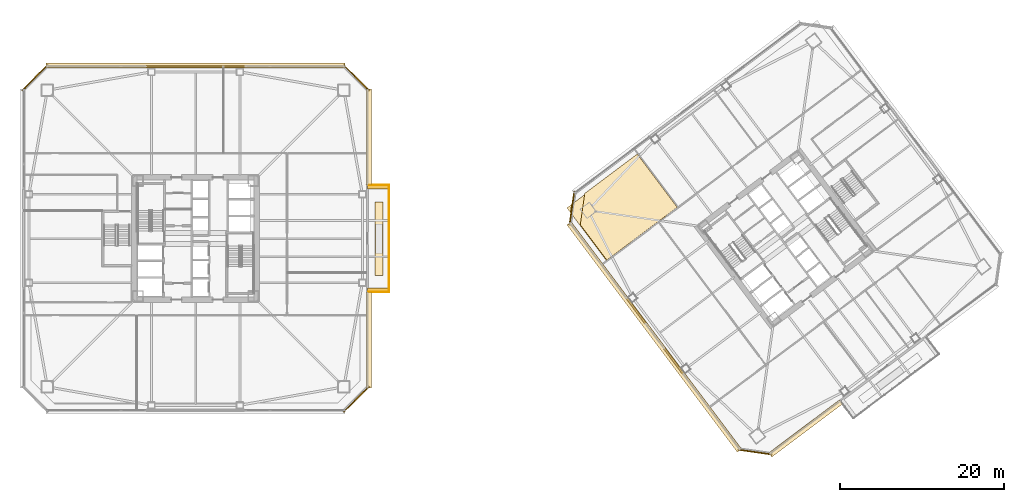
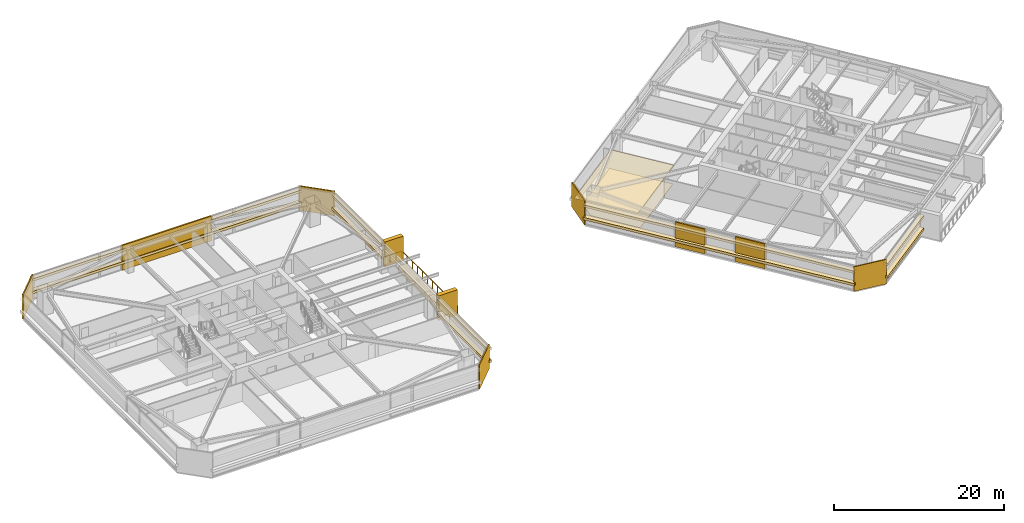
# One storey, part 42 of 46: 23 coverings, 3 railings.
"""IFC4 building model written with IfcOpenShell, lengths in metres."""

from ifc_helpers import new_model, si_unit, direction, frame, origin, origin_2d, place, context, subcontext, project, spatial, polyline, rectangle, outline, extrude, material, layer, layer_set, type_object, element, save


model = new_model("IFC4")

# Units and contexts
model_context = context("Model", 3, precision=1e-05, world=origin(), true_north=direction((0.0, 1.0)))
body_context = subcontext(model_context, "Body", "Model", "MODEL_VIEW")
ifc_project = project(units=[si_unit("LENGTHUNIT", "METRE"), si_unit("AREAUNIT", "SQUARE_METRE"), si_unit("VOLUMEUNIT", "CUBIC_METRE"), si_unit("PLANEANGLEUNIT", "RADIAN"), si_unit("MASSUNIT", "GRAM", prefix="KILO")], contexts=[model_context])

# Site, building, storey
site_placement = place(None, origin())
site = spatial("IfcSite", under=ifc_project, at=site_placement, CompositionType="ELEMENT")
building_placement = place(site_placement, origin())
building = spatial("IfcBuilding", under=site, at=building_placement, Name="Tashvorn Skyway Center", CompositionType="ELEMENT")
storey_placement = place(building_placement, frame((0.0, 0.0, 99.14990234375)))
storey = spatial("IfcBuildingStorey", under=building, at=storey_placement, Name="L26", CompositionType="ELEMENT", Elevation=99.14990234375)

# Coverings
ifc_material_1 = material(Name="Precast concrete C40/50", Category="concrete")
ifc_layer_1 = layer(ifc_material_1, 0.199951171875)
ifc_layer_set_1 = layer_set([ifc_layer_1], Name="Precast concrete C40/50")
covering_type_1 = type_object("IfcCoveringType", Name="COV-BRACE-CLAD", PredefinedType="CLADDING", material=ifc_layer_set_1)
covering_1_placement = place(storey_placement, frame((42.0, 52.97998046875, 0.0), z_axis=(0.0, 0.0, 1.0), x_axis=(1.0, 0.0, 0.0)))
element("IfcCovering", 1, at=covering_1_placement, inside=storey, type_object=covering_type_1, Name="Tower 1 L26 North Unitised Curtain Wall Mega-Brace Cladding Band 1", PredefinedType="CLADDING", context=body_context, shape_type="SweptSolid", body=[
    extrude(rectangle(XDim=12.1201171875, YDim=0.199951171875, at=origin_2d()), origin(), (0.0, 0.0, 1.0), 3.550048828125),
])
for number, where, z_axis, x_axis, name in (
    (2, (100.39990234375, 17.0, 0.0), (0.0, 0.0, 1.0), (-0.600000004945, 0.799999996291, 0.0), "Tower 2 L26 West Unitised Curtain Wall Mega-Brace Cladding Band 1"),
    (3, (95.7919921875, 23.14404296875, 0.0), (0.0, 0.0, 1.0), (-0.600000004945, 0.799999996291, 0.0), "Tower 2 L26 West Unitised Curtain Wall Mega-Brace Cladding Band 2"),
):
    element("IfcCovering", number, at=place(storey_placement, frame(where, z_axis=z_axis, x_axis=x_axis)), inside=storey, type_object=covering_type_1, Name=name, PredefinedType="CLADDING", context=body_context, shape_type="SweptSolid", body=[
        extrude(rectangle(XDim=3.840087890625, YDim=0.199951171875, at=origin_2d()), origin(), (0.0, 0.0, 1.0), 3.550048828125),
    ])
ifc_material_2 = material(Name="Mineral-fibre acoustic ceiling tile on suspended grid")
ifc_layer_2 = layer(ifc_material_2, 0.02001953125)
ifc_layer_set_2 = layer_set([ifc_layer_2], Name="Mineral-fibre acoustic ceiling tile on suspended grid")
covering_type_2 = type_object("IfcCoveringType", Name="COV-CEIL-20", PredefinedType="CEILING", material=ifc_layer_set_2)
covering_2_placement = place(storey_placement, frame((0.0, 0.0, 2.68310546875)))
element("IfcCovering", 4, at=covering_2_placement, inside=storey, type_object=covering_type_2, Name="Tower 2 L26 Executive Suite Acoustic Ceiling", PredefinedType="CEILING", context=body_context, shape_type="SweptSolid", body=[
    extrude(outline(polyline([(92.179931640625, 29.260009765625), (100.89990234375, 35.800048828125), (96.0400390625, 42.280029296875), (87.320068359375, 35.739990234375), (92.179931640625, 29.260009765625)])), origin(), (0.0, 0.0, 1.0), 0.02001953125),
])
ifc_material_3 = material(Name="Polished Mojave desert-aggregate terrazzo and cover plate")
ifc_layer_3 = layer(ifc_material_3, 0.0400390625)
ifc_layer_set_3 = layer_set([ifc_layer_3], Name="Polished Mojave desert-aggregate terrazzo and cover plate")
covering_type_3 = type_object("IfcCoveringType", Name="COV-FLR-40", PredefinedType="FLOORING", material=ifc_layer_set_3)
covering_3_placement = place(storey_placement, origin())
element("IfcCovering", 5, at=covering_3_placement, inside=storey, type_object=covering_type_3, Name="Tower 2 L26 Executive Suite Finish Flooring", PredefinedType="FLOORING", context=body_context, shape_type="SweptSolid", body=[
    extrude(outline(polyline([(100.7880859375, 35.81591796875), (92.196044921875, 29.3720703125), (88.9560546875, 33.69189453125), (89.5, 37.5), (95.916015625, 42.31201171875), (100.7880859375, 35.81591796875)])), origin(), (0.0, 0.0, 1.0), 0.0400390625),
])
ifc_material_4 = material(Name="Perforated ceramic-coated bronze aluminium solar screen", Category="aluminium")
ifc_layer_4 = layer(ifc_material_4, 0.85009765625)
ifc_layer_set_4 = layer_set([ifc_layer_4], Name="Perforated ceramic-coated bronze aluminium solar screen")
covering_type_4 = type_object("IfcCoveringType", Name="COV-SOLAR-BAND", PredefinedType="CLADDING", material=ifc_layer_set_4)
for number, where, z_axis, x_axis, name in (
    (6, (42.0, 53.1201171875, 0.919921875), (0.0, 0.0, 1.0), (1.0, 0.0, 0.0), "L26 Perforated Ceramic-Metal Solar Screen Louvre Band North 1"),
    (7, (42.0, 53.1201171875, 2.72021484375), (0.0, 0.0, 1.0), (1.0, 0.0, 0.0), "L26 Perforated Ceramic-Metal Solar Screen Louvre Band North 2"),
):
    element("IfcCovering", number, at=place(storey_placement, frame(where, z_axis=z_axis, x_axis=x_axis)), inside=storey, type_object=covering_type_4, Name=name, PredefinedType="CLADDING", context=body_context, shape_type="SweptSolid", body=[
        extrude(rectangle(XDim=36.47998046875, YDim=0.639892578125, at=origin_2d()), origin(), (0.0, 0.0, 1.0), 0.360107421875),
    ])
for number, where, z_axis, x_axis, name in (
    (8, (63.1201171875, 44.389892578125, 0.919921875), (0.0, 0.0, 1.0), (0.0, -1.0, 0.0), "L26 Perforated Ceramic-Metal Solar Screen Louvre Band East 1"),
    (9, (63.1201171875, 44.389892578125, 2.72021484375), (0.0, 0.0, 1.0), (0.0, -1.0, 0.0), "L26 Perforated Ceramic-Metal Solar Screen Louvre Band East 2"),
    (10, (63.1201171875, 19.610107421875, 0.919921875), (0.0, 0.0, 1.0), (0.0, -1.0, 0.0), "L26 Perforated Ceramic-Metal Solar Screen Louvre Band East 1"),
    (11, (63.1201171875, 19.610107421875, 2.72021484375), (0.0, 0.0, 1.0), (0.0, -1.0, 0.0), "L26 Perforated Ceramic-Metal Solar Screen Louvre Band East 2"),
):
    element("IfcCovering", number, at=place(storey_placement, frame(where, z_axis=z_axis, x_axis=x_axis)), inside=storey, type_object=covering_type_4, Name=name, PredefinedType="CLADDING", context=body_context, shape_type="SweptSolid", body=[
        extrude(rectangle(XDim=11.699951171875, YDim=0.639892578125, at=origin_2d()), origin(), (0.0, 0.0, 1.0), 0.360107421875),
    ])
for number, where, z_axis, x_axis, name in (
    (12, (116.4599609375, 8.820068359375, 0.919921875), (0.0, 0.0, 1.0), (-0.799999996291, -0.600000004945, 0.0), "L26 Perforated Ceramic-Metal Solar Screen Louvre Band South 1"),
    (13, (116.4599609375, 8.820068359375, 2.72021484375), (0.0, 0.0, 1.0), (-0.799999996291, -0.600000004945, 0.0), "L26 Perforated Ceramic-Metal Solar Screen Louvre Band South 2"),
):
    element("IfcCovering", number, at=place(storey_placement, frame(where, z_axis=z_axis, x_axis=x_axis)), inside=storey, type_object=covering_type_4, Name=name, PredefinedType="CLADDING", context=body_context, shape_type="SweptSolid", body=[
        extrude(rectangle(XDim=10.800048828125, YDim=0.639892578125, at=origin_2d()), origin(), (0.0, 0.0, 1.0), 0.360107421875),
    ])
for number, where, z_axis, x_axis, name in (
    (14, (97.98388671875, 19.988037109375, 0.919921875), (0.0, 0.0, 1.0), (-0.600000004945, 0.799999996291, 0.0), "L26 Perforated Ceramic-Metal Solar Screen Louvre Band West 1"),
    (15, (97.98388671875, 19.988037109375, 2.72021484375), (0.0, 0.0, 1.0), (-0.600000004945, 0.799999996291, 0.0), "L26 Perforated Ceramic-Metal Solar Screen Louvre Band West 2"),
):
    element("IfcCovering", number, at=place(storey_placement, frame(where, z_axis=z_axis, x_axis=x_axis)), inside=storey, type_object=covering_type_4, Name=name, PredefinedType="CLADDING", context=body_context, shape_type="SweptSolid", body=[
        extrude(rectangle(XDim=34.679931640625, YDim=0.639892578125, at=origin_2d()), origin(), (0.0, 0.0, 1.0), 0.360107421875),
    ])
ifc_layer_5 = layer(ifc_material_1, 0.35009765625)
ifc_layer_set_5 = layer_set([ifc_layer_5], Name="Precast concrete C40/50")
covering_type_5 = type_object("IfcCoveringType", Name="COV-STONE-TRIM", PredefinedType="CLADDING", material=ifc_layer_set_5)
for number, where, z_axis, x_axis, name in (
    (16, (64.25, 38.35009765625, 0.0), (0.0, 0.0, 1.0), (0.0, -1.0, 0.0), "Tower 1 L26 Sky Garden Loggia Pier L"),
    (17, (64.25, 25.64990234375, 0.0), (0.0, 0.0, 1.0), (0.0, -1.0, 0.0), "Tower 1 L26 Sky Garden Loggia Pier R"),
):
    element("IfcCovering", number, at=place(storey_placement, frame(where, z_axis=z_axis, x_axis=x_axis)), inside=storey, type_object=covering_type_5, Name=name, PredefinedType="CLADDING", context=body_context, shape_type="SweptSolid", body=[
        extrude(rectangle(XDim=0.580078125, YDim=2.5, at=origin_2d()), origin(), (0.0, 0.0, 1.0), 3.550048828125),
    ])
covering_4_placement = place(storey_placement, frame((64.39990234375, 32.0, 0.0), z_axis=(0.0, 0.0, 1.0), x_axis=(0.0, -1.0, 0.0)))
element("IfcCovering", 18, at=covering_4_placement, inside=storey, type_object=covering_type_5, Name="Tower 1 L26 Sky Garden Stone Planter Bed", PredefinedType="CLADDING", context=body_context, shape_type="SweptSolid", body=[
    extrude(rectangle(XDim=8.97607421875, YDim=0.949951171875, at=origin_2d()), origin(), (0.0, 0.0, 1.0), 0.800048828125),
])
for number, where, z_axis, x_axis, name in (
    (19, (22.3798828125, 51.6201171875, 0.02001953125), (0.0, 0.0, 1.0), (-0.707106781187, -0.707106781187, 0.0), "Tower 1 L26 NW Mojave Limestone Corner Quoin"),
    (20, (61.6201171875, 51.6201171875, 0.02001953125), (0.0, 0.0, 1.0), (0.707106781187, -0.707106781187, 0.0), "Tower 1 L26 NE Mojave Limestone Corner Quoin"),
    (21, (61.6201171875, 12.3798828125, 0.02001953125), (0.0, 0.0, 1.0), (0.707106781187, 0.707106781187, 0.0), "Tower 1 L26 SE Mojave Limestone Corner Quoin"),
):
    element("IfcCovering", number, at=place(storey_placement, frame(where, z_axis=z_axis, x_axis=x_axis)), inside=storey, type_object=covering_type_5, Name=name, PredefinedType="CLADDING", context=body_context, shape_type="SweptSolid", body=[
        extrude(rectangle(XDim=4.402587890625, YDim=0.139892578125, at=origin_2d()), origin(), (0.0, 0.0, 1.0), 3.510009765625),
    ])
for number, where, z_axis, x_axis, name in (
    (22, (110.27587890625, 5.931884765625, 0.02001953125), (0.0, 0.0, 1.0), (-0.989949494535, 0.141421350118, 0.0), "Tower 2 L26 SW Mojave Limestone Corner Quoin"),
    (23, (87.931884765625, 35.72412109375, 0.02001953125), (0.0, 0.0, 1.0), (-0.141421350118, -0.989949494535, 0.0), "Tower 2 L26 NW Mojave Limestone Corner Quoin"),
):
    element("IfcCovering", number, at=place(storey_placement, frame(where, z_axis=z_axis, x_axis=x_axis)), inside=storey, type_object=covering_type_5, Name=name, PredefinedType="CLADDING", context=body_context, shape_type="SweptSolid", body=[
        extrude(rectangle(XDim=4.119873046875, YDim=0.139892578125, at=origin_2d()), origin(), (0.0, 0.0, 1.0), 3.510009765625),
    ])

# Railings
ifc_material_5 = material(Name="Galvanized steel S355", Category="steel")
railing_type = type_object("IfcRailingType", Name="RAIL-GUARD-1120", PredefinedType="GUARDRAIL", material=ifc_material_5)
railing_1_placement = place(storey_placement, frame((63.10009765625, 25.47998046875, 0.0)))
element("IfcRailing", 24, at=railing_1_placement, inside=storey, type_object=railing_type, Name="L26 Tower 1 Terrace Guardrail 01", PredefinedType="GUARDRAIL", context=body_context, shape_type="SweptSolid", body=[
    extrude(rectangle(XDim=0.048095703125, YDim=0.048095703125, at=origin_2d()), frame((0.0, 0.0, 1.09619140625), z_axis=(1.0, 0.0, 0.0), x_axis=(0.0, 1.0, 0.0)), (0.0, 0.0, 1.0), 2.52001953125),
    extrude(rectangle(XDim=0.0419921875, YDim=0.0419921875, at=origin_2d()), origin(), (0.0, 0.0, 1.0), 1.072021484375),
    extrude(rectangle(XDim=0.0419921875, YDim=0.0419921875, at=origin_2d()), frame((0.840087890625, 0.0, 0.0)), (0.0, 0.0, 1.0), 1.072021484375),
    extrude(rectangle(XDim=0.0419921875, YDim=0.0419921875, at=origin_2d()), frame((1.679931640625, 0.0, 0.0)), (0.0, 0.0, 1.0), 1.072021484375),
    extrude(rectangle(XDim=0.0419921875, YDim=0.0419921875, at=origin_2d()), frame((2.52001953125, 0.0, 0.0)), (0.0, 0.0, 1.0), 1.072021484375),
])
railing_2_placement = place(storey_placement, frame((65.6201171875, 25.47998046875, 0.0)))
element("IfcRailing", 25, at=railing_2_placement, inside=storey, type_object=railing_type, Name="L26 Tower 1 Terrace Guardrail 02", PredefinedType="GUARDRAIL", context=body_context, shape_type="SweptSolid", body=[
    extrude(rectangle(XDim=0.048095703125, YDim=0.048095703125, at=origin_2d()), frame((0.0, 0.0, 1.09619140625), z_axis=(0.0, 1.0, 0.0), x_axis=(-1.0, 0.0, 0.0)), (0.0, 0.0, 1.0), 13.0400390625),
    extrude(rectangle(XDim=0.0419921875, YDim=0.0419921875, at=origin_2d()), origin(), (0.0, 0.0, 1.0), 1.072021484375),
    extrude(rectangle(XDim=0.0419921875, YDim=0.0419921875, at=origin_2d()), frame((0.0, 1.185546875, 0.0)), (0.0, 0.0, 1.0), 1.072021484375),
    extrude(rectangle(XDim=0.0419921875, YDim=0.0419921875, at=origin_2d()), frame((0.0, 2.370849609375, 0.0)), (0.0, 0.0, 1.0), 1.072021484375),
    extrude(rectangle(XDim=0.0419921875, YDim=0.0419921875, at=origin_2d()), frame((0.0, 3.556396484375, 0.0)), (0.0, 0.0, 1.0), 1.072021484375),
    extrude(rectangle(XDim=0.0419921875, YDim=0.0419921875, at=origin_2d()), frame((0.0, 4.741943359375, 0.0)), (0.0, 0.0, 1.0), 1.072021484375),
    extrude(rectangle(XDim=0.0419921875, YDim=0.0419921875, at=origin_2d()), frame((0.0, 5.92724609375, 0.0)), (0.0, 0.0, 1.0), 1.072021484375),
    extrude(rectangle(XDim=0.0419921875, YDim=0.0419921875, at=origin_2d()), frame((0.0, 7.11279296875, 0.0)), (0.0, 0.0, 1.0), 1.072021484375),
    extrude(rectangle(XDim=0.0419921875, YDim=0.0419921875, at=origin_2d()), frame((0.0, 8.298095703125, 0.0)), (0.0, 0.0, 1.0), 1.072021484375),
    extrude(rectangle(XDim=0.0419921875, YDim=0.0419921875, at=origin_2d()), frame((0.0, 9.483642578125, 0.0)), (0.0, 0.0, 1.0), 1.072021484375),
    extrude(rectangle(XDim=0.0419921875, YDim=0.0419921875, at=origin_2d()), frame((0.0, 10.669189453125, 0.0)), (0.0, 0.0, 1.0), 1.072021484375),
    extrude(rectangle(XDim=0.0419921875, YDim=0.0419921875, at=origin_2d()), frame((0.0, 11.8544921875, 0.0)), (0.0, 0.0, 1.0), 1.072021484375),
    extrude(rectangle(XDim=0.0419921875, YDim=0.0419921875, at=origin_2d()), frame((0.0, 13.0400390625, 0.0)), (0.0, 0.0, 1.0), 1.072021484375),
])
railing_3_placement = place(storey_placement, frame((65.6201171875, 38.52001953125, 0.0)))
element("IfcRailing", 26, at=railing_3_placement, inside=storey, type_object=railing_type, Name="L26 Tower 1 Terrace Guardrail 03", PredefinedType="GUARDRAIL", context=body_context, shape_type="SweptSolid", body=[
    extrude(rectangle(XDim=0.048095703125, YDim=0.048095703125, at=origin_2d()), frame((0.0, 0.0, 1.09619140625), z_axis=(-1.0, 0.0, 0.0), x_axis=(0.0, -1.0, 0.0)), (0.0, 0.0, 1.0), 2.52001953125),
    extrude(rectangle(XDim=0.0419921875, YDim=0.0419921875, at=origin_2d()), origin(), (0.0, 0.0, 1.0), 1.072021484375),
    extrude(rectangle(XDim=0.0419921875, YDim=0.0419921875, at=origin_2d()), frame((-0.840087890625, 0.0, 0.0)), (0.0, 0.0, 1.0), 1.072021484375),
    extrude(rectangle(XDim=0.0419921875, YDim=0.0419921875, at=origin_2d()), frame((-1.679931640625, 0.0, 0.0)), (0.0, 0.0, 1.0), 1.072021484375),
    extrude(rectangle(XDim=0.0419921875, YDim=0.0419921875, at=origin_2d()), frame((-2.52001953125, 0.0, 0.0)), (0.0, 0.0, 1.0), 1.072021484375),
])

save(model, "model.ifc")
